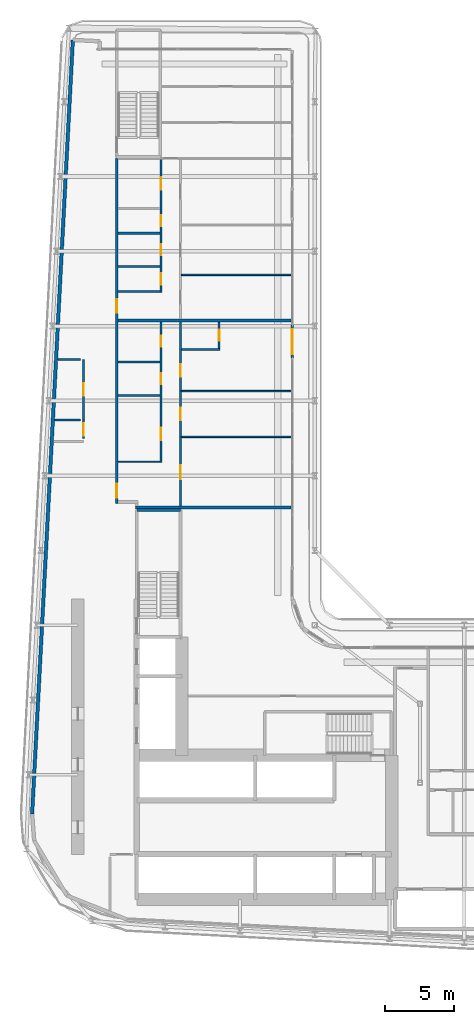
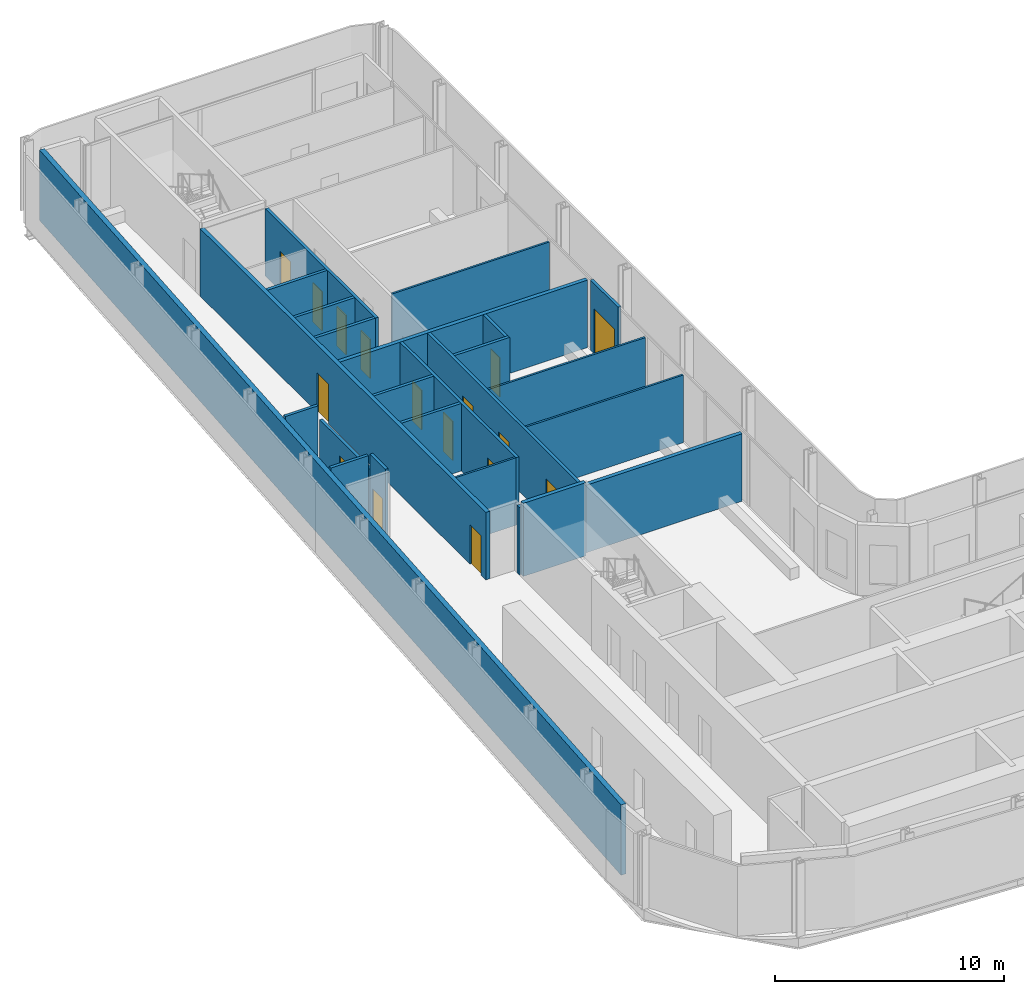
# One storey, part 17 of 27: 24 walls, 16 doors, 16 openings.
"""IFC4 building model written with IfcOpenShell, lengths in metres."""

from ifc_helpers import new_model, si_unit, direction, frame, frame_2d, origin, place, context, subcontext, project, spatial, rectangle, extrude, source, transform, mapped, material, layer, layer_set, type_object, element, fill, save


model = new_model("IFC4")

# Units and contexts
model_context = context("Model", 3, precision=1e-05, world=origin(), true_north=direction((0.0, 1.0)))
body_context = subcontext(model_context, "Body", "Model", "MODEL_VIEW")
ifc_project = project(units=[si_unit("LENGTHUNIT", "METRE"), si_unit("AREAUNIT", "SQUARE_METRE"), si_unit("VOLUMEUNIT", "CUBIC_METRE"), si_unit("PLANEANGLEUNIT", "RADIAN"), si_unit("MASSUNIT", "GRAM", prefix="KILO")], contexts=[model_context])

# Site, building, storey
site_placement = place(None, origin())
site = spatial("IfcSite", under=ifc_project, at=site_placement, CompositionType="ELEMENT")
building_placement = place(site_placement, origin())
building = spatial("IfcBuilding", under=site, at=building_placement, Name="Kheshtan School and Residences Tower", CompositionType="ELEMENT")
storey_placement = place(building_placement, frame((0.0, 0.0, 101.89990234375)))
storey = spatial("IfcBuildingStorey", under=building, at=storey_placement, Name="L23", CompositionType="ELEMENT", Elevation=101.89990234375)

# Wall, openings, doors
ifc_material_1 = material(Name="Gypsum board on steel studs with fire boards", Category="steel")
ifc_layer_1 = layer(ifc_material_1, 0.199951171875)
ifc_layer_set_1 = layer_set([ifc_layer_1], Name="Corridor wall 200")
wall_type_1 = type_object("IfcWallType", Name="Corridor wall 200", PredefinedType="PARTITIONING", material=ifc_layer_set_1)
wall_1_placement = place(storey_placement, frame((33.300048828125, 54.39990234375, 0.0), z_axis=(0.0, 0.0, 1.0), x_axis=(0.0, 1.0, 0.0)))
wall_1 = element("IfcWall", 1, at=wall_1_placement, inside=storey, type_object=wall_type_1, Name="Partition L23-001", PredefinedType="PARTITIONING", context=body_context, shape_type="SweptSolid", body=[
    extrude(rectangle(XDim=24.9501953125, YDim=0.199951171875, at=frame_2d((12.47509765625, 0.0))), origin(), (0.0, 0.0, 1.0), 3.60009765625),
])
opening_1_placement = place(wall_1_placement, frame((0.39990234375, 0.0, 0.0)))
opening_1 = element("IfcOpeningElement", 2, at=opening_1_placement, cuts=wall_1, Name="Opening D23-034", PredefinedType="OPENING", context=body_context, shape_type="SweptSolid", body=[
    extrude(rectangle(XDim=1.0, YDim=2.10009765625, at=frame_2d((0.5, 1.050048828125))), frame((0.0, 0.10986328125, 0.0), z_axis=(0.0, -1.0, 0.0), x_axis=(1.0, 0.0, 0.0)), (0.0, 0.0, 1.0), 0.219970703125),
])
opening_2_placement = place(wall_1_placement, frame((13.75, 0.0, 0.0)))
opening_2 = element("IfcOpeningElement", 3, at=opening_2_placement, cuts=wall_1, Name="Opening D23-041", PredefinedType="OPENING", context=body_context, shape_type="SweptSolid", body=[
    extrude(rectangle(XDim=1.0, YDim=2.10009765625, at=frame_2d((0.5, 1.050048828125))), frame((0.0, 0.10986328125, 0.0), z_axis=(0.0, -1.0, 0.0), x_axis=(1.0, 0.0, 0.0)), (0.0, 0.0, 1.0), 0.219970703125),
])
ifc_material_2 = material(Name="Steel-framed fire-resisting door leaf", Category="steel")
door_type_1 = type_object("IfcDoorType", Name="Fire door FD30S 1000 x 2100", OperationType="SINGLE_SWING_LEFT", PredefinedType="DOOR", material=ifc_material_2)
shared_shape_1 = source(origin(), body_context, "Body", "SweptSolid", [
    extrude(rectangle(XDim=1.0, YDim=2.10009765625, at=frame_2d((0.5, 1.050048828125))), frame((0.0, 0.02490234375, 0.0), z_axis=(0.0, -1.0, 0.0), x_axis=(1.0, 0.0, 0.0)), (0.0, 0.0, 1.0), 0.050048828125),
])
door_1_placement = place(opening_1_placement, origin())
door_1 = element("IfcDoor", 4, at=door_1_placement, inside=storey, type_object=door_type_1, Name="Door D23-034", OperationType="SINGLE_SWING_RIGHT", OverallHeight=2.10009765625, OverallWidth=1.0, PredefinedType="DOOR", context=body_context, shape_type="MappedRepresentation", body=[
    mapped(shared_shape_1, transform((0.0, 0.0, 0.0), x_axis=(1.0, 0.0, 0.0), y_axis=(0.0, 1.0, 0.0), z_axis=(0.0, 0.0, 1.0), scale=1.0)),
])
fill(opening_1, door_1)
door_2_placement = place(opening_2_placement, origin())
door_2 = element("IfcDoor", 5, at=door_2_placement, inside=storey, type_object=door_type_1, Name="Door D23-041", OperationType="SINGLE_SWING_LEFT", OverallHeight=2.10009765625, OverallWidth=1.0, PredefinedType="DOOR", context=body_context, shape_type="MappedRepresentation", body=[
    mapped(shared_shape_1, transform((0.0, 0.0, 0.0), x_axis=(1.0, 0.0, 0.0), y_axis=(0.0, 1.0, 0.0), z_axis=(0.0, 0.0, 1.0), scale=1.0)),
])
fill(opening_2, door_2)

# Wall
ifc_material_3 = material(Name="Concrete C40/50 with ceramic cladding and mineral wool insulation", Category="concrete")
ifc_layer_2 = layer(ifc_material_3, 0.25)
ifc_layer_set_2 = layer_set([ifc_layer_2], Name="External wall 250 ceramic clad")
wall_type_2 = type_object("IfcWallType", Name="External wall 250 ceramic clad", PredefinedType="SOLIDWALL", material=ifc_layer_set_2)
wall_2_placement = place(storey_placement, frame((27.195068359375, 31.968994140625, 0.0), z_axis=(0.0, 0.0, 1.0), x_axis=(0.052559748861, 0.998617781135, 0.0)))
element("IfcWall", 6, at=wall_2_placement, inside=storey, type_object=wall_type_2, Name="External wall L23 16", PredefinedType="SOLIDWALL", context=body_context, shape_type="SweptSolid", body=[
    extrude(rectangle(XDim=55.972412109375, YDim=0.25, at=frame_2d((27.986328125, 0.0))), origin(), (0.0, 0.0, 1.0), 3.75),
])

# Wall, opening, door
ifc_material_4 = material(Name="Aluminium frame wall with insulated infill", Category="aluminium")
ifc_layer_3 = layer(ifc_material_4, 0.14990234375)
ifc_layer_set_3 = layer_set([ifc_layer_3], Name="Glazing frame wall 150")
wall_type_3 = type_object("IfcWallType", Name="Glazing frame wall 150", PredefinedType="SOLIDWALL", material=ifc_layer_set_3)
wall_3_placement = place(storey_placement, frame((45.97509765625, 67.264892578125, 0.0), z_axis=(0.0, 0.0, 1.0), x_axis=(0.0, -1.0, 0.0)))
wall_3 = element("IfcWall", 7, at=wall_3_placement, inside=storey, type_object=wall_type_3, Name="Balcony door wall L23 4.3", PredefinedType="SOLIDWALL", context=body_context, shape_type="SweptSolid", body=[
    extrude(rectangle(XDim=2.39990234375, YDim=0.14990234375, at=frame_2d((1.199951171875, 0.0))), origin(), (0.0, 0.0, 1.0), 3.75),
])
opening_3_placement = place(wall_3_placement, frame((0.300048828125, 0.0, 0.0)))
opening_3 = element("IfcOpeningElement", 8, at=opening_3_placement, cuts=wall_3, Name="Opening BD", PredefinedType="OPENING", context=body_context, shape_type="SweptSolid", body=[
    extrude(rectangle(XDim=1.800048828125, YDim=2.39990234375, at=frame_2d((0.89990234375, 1.199951171875))), frame((0.0, 0.0849609375, 0.0), z_axis=(0.0, -1.0, 0.0), x_axis=(1.0, 0.0, 0.0)), (0.0, 0.0, 1.0), 0.169921875),
])
ifc_material_5 = material(Name="Clear low-e glass in thermally broken aluminium frame", Category="aluminium")
door_type_2 = type_object("IfcDoorType", Name="Balcony sliding door", OperationType="SLIDING_TO_LEFT", PredefinedType="DOOR", material=ifc_material_5)
shared_shape_2 = source(origin(), body_context, "Body", "SweptSolid", [
    extrude(rectangle(XDim=1.800048828125, YDim=2.39990234375, at=frame_2d((0.89990234375, 1.199951171875))), frame((0.0, 0.02490234375, 0.0), z_axis=(0.0, -1.0, 0.0), x_axis=(1.0, 0.0, 0.0)), (0.0, 0.0, 1.0), 0.050048828125),
])
door_3_placement = place(opening_3_placement, origin())
door_3 = element("IfcDoor", 9, at=door_3_placement, inside=storey, type_object=door_type_2, Name="Balcony door L23 4.3", OperationType="SLIDING_TO_LEFT", OverallHeight=2.39990234375, OverallWidth=1.800048828125, PredefinedType="DOOR", context=body_context, shape_type="MappedRepresentation", body=[
    mapped(shared_shape_2, transform((0.0, 0.0, 0.0), x_axis=(1.0, 0.0, 0.0), y_axis=(0.0, 1.0, 0.0), z_axis=(0.0, 0.0, 1.0), scale=1.0)),
])
fill(opening_3, door_3)

# Walls
ifc_material_6 = material(Name="Gypsum board on steel studs", Category="steel")
ifc_layer_4 = layer(ifc_material_6, 0.10009765625)
ifc_layer_set_4 = layer_set([ifc_layer_4], Name="Gypsum partition 100")
wall_type_4 = type_object("IfcWallType", Name="Gypsum partition 100", PredefinedType="PARTITIONING", material=ifc_layer_set_4)
wall_4_placement = place(storey_placement, frame((33.39990234375, 57.39990234375, 0.0), z_axis=(0.0, 0.0, 1.0), x_axis=(1.0, 0.0, 0.0)))
element("IfcWall", 10, at=wall_4_placement, inside=storey, type_object=wall_type_4, Name="Partition L23-003", PredefinedType="PARTITIONING", context=body_context, shape_type="SweptSolid", body=[
    extrude(rectangle(XDim=3.025146484375, YDim=0.10009765625, at=frame_2d((1.5126953125, 0.0))), origin(), (0.0, 0.0, 1.0), 3.60009765625),
])
for number, where, z_axis, x_axis, name in (
    (11, (37.97509765625, 59.199951171875, 0.0), (0.0, 0.0, 1.0), (1.0, 0.0, 0.0), "Partition L23-020"),
    (12, (37.97509765625, 62.5, 0.0), (0.0, 0.0, 1.0), (1.0, 0.0, 0.0), "Partition L23-021"),
    (13, (37.97509765625, 70.89990234375, 0.0), (0.0, 0.0, 1.0), (1.0, 0.0, 0.0), "Partition L23-023"),
):
    element("IfcWall", number, at=place(storey_placement, frame(where, z_axis=z_axis, x_axis=x_axis)), inside=storey, type_object=wall_type_4, Name=name, PredefinedType="PARTITIONING", context=body_context, shape_type="SweptSolid", body=[
        extrude(rectangle(XDim=7.9248046875, YDim=0.10009765625, at=frame_2d((3.96240234375, 0.0))), origin(), (0.0, 0.0, 1.0), 3.60009765625),
    ])

# Wall, opening, door
ifc_material_7 = material(Name="Fire-board shaft wall system")
ifc_layer_5 = layer(ifc_material_7, 0.14990234375)
ifc_layer_set_5 = layer_set([ifc_layer_5], Name="Service room wall 150")
wall_type_5 = type_object("IfcWallType", Name="Service room wall 150", PredefinedType="PARTITIONING", material=ifc_layer_set_5)
wall_5_placement = place(storey_placement, frame((30.89990234375, 59.06689453125, 0.0), z_axis=(0.0, 0.0, 1.0), x_axis=(0.0, 1.0, 0.0)))
wall_5 = element("IfcWall", 14, at=wall_5_placement, inside=storey, type_object=wall_type_5, Name="Service room wall", PredefinedType="PARTITIONING", context=body_context, shape_type="SweptSolid", body=[
    extrude(rectangle(XDim=1.34716796875, YDim=0.14990234375, at=frame_2d((0.673583984375, 0.0))), origin(), (0.0, 0.0, 1.0), 3.900146484375),
])
opening_4_placement = place(wall_5_placement, frame((0.22607421875, 0.0, 0.0)))
opening_4 = element("IfcOpeningElement", 15, at=opening_4_placement, cuts=wall_5, Name="Opening SR90", PredefinedType="OPENING", context=body_context, shape_type="SweptSolid", body=[
    extrude(rectangle(XDim=0.89990234375, YDim=2.199951171875, at=frame_2d((0.449951171875, 1.10009765625))), frame((0.0, 0.0849609375, 0.0), z_axis=(0.0, -1.0, 0.0), x_axis=(1.0, 0.0, 0.0)), (0.0, 0.0, 1.0), 0.169921875),
])
ifc_material_8 = material(Name="Steel door leaf, galvanised", Category="steel")
door_type_3 = type_object("IfcDoorType", Name="Service room door 900 steel 90 min", OperationType="SINGLE_SWING_LEFT", PredefinedType="DOOR", material=ifc_material_8)
shared_shape_3 = source(origin(), body_context, "Body", "SweptSolid", [
    extrude(rectangle(XDim=0.89990234375, YDim=2.199951171875, at=frame_2d((0.449951171875, 1.10009765625))), frame((0.0, 0.02490234375, 0.0), z_axis=(0.0, -1.0, 0.0), x_axis=(1.0, 0.0, 0.0)), (0.0, 0.0, 1.0), 0.050048828125),
])
door_4_placement = place(opening_4_placement, origin())
door_4 = element("IfcDoor", 16, at=door_4_placement, inside=storey, type_object=door_type_3, Name="Service room door", OperationType="SINGLE_SWING_LEFT", OverallHeight=2.199951171875, OverallWidth=0.89990234375, PredefinedType="DOOR", context=body_context, shape_type="MappedRepresentation", body=[
    mapped(shared_shape_3, transform((0.0, 0.0, 0.0), x_axis=(1.0, 0.0, 0.0), y_axis=(0.0, 1.0, 0.0), z_axis=(0.0, 0.0, 1.0), scale=1.0)),
])
fill(opening_4, door_4)

# Wall
wall_6_placement = place(storey_placement, frame((28.820068359375, 60.4140625, 0.0), z_axis=(0.0, 0.0, 1.0), x_axis=(1.0, 0.0, 0.0)))
element("IfcWall", 17, at=wall_6_placement, inside=storey, type_object=wall_type_5, Name="Service room wall", PredefinedType="PARTITIONING", context=body_context, shape_type="SweptSolid", body=[
    extrude(rectangle(XDim=1.885009765625, YDim=0.14990234375, at=frame_2d((0.9423828125, 0.0))), origin(), (0.0, 0.0, 1.0), 3.900146484375),
])

# Wall, opening, door
wall_7_placement = place(storey_placement, frame((30.89990234375, 60.4140625, 0.0), z_axis=(0.0, 0.0, 1.0), x_axis=(0.0, 1.0, 0.0)))
wall_7 = element("IfcWall", 18, at=wall_7_placement, inside=storey, type_object=wall_type_5, Name="Service room wall", PredefinedType="PARTITIONING", context=body_context, shape_type="SweptSolid", body=[
    extrude(rectangle(XDim=4.385986328125, YDim=0.14990234375, at=frame_2d((2.19287109375, 0.0))), origin(), (0.0, 0.0, 1.0), 3.072021484375),
])
opening_5_placement = place(wall_7_placement, frame((1.742919921875, 0.0, 0.0)))
opening_5 = element("IfcOpeningElement", 19, at=opening_5_placement, cuts=wall_7, Name="Opening SR90", PredefinedType="OPENING", context=body_context, shape_type="SweptSolid", body=[
    extrude(rectangle(XDim=0.89990234375, YDim=2.199951171875, at=frame_2d((0.449951171875, 1.10009765625))), frame((0.0, 0.0849609375, 0.0), z_axis=(0.0, -1.0, 0.0), x_axis=(1.0, 0.0, 0.0)), (0.0, 0.0, 1.0), 0.169921875),
])
door_5_placement = place(opening_5_placement, origin())
door_5 = element("IfcDoor", 20, at=door_5_placement, inside=storey, type_object=door_type_3, Name="Service room door", OperationType="SINGLE_SWING_LEFT", OverallHeight=2.199951171875, OverallWidth=0.89990234375, PredefinedType="DOOR", context=body_context, shape_type="MappedRepresentation", body=[
    mapped(shared_shape_3, transform((0.0, 0.0, 0.0), x_axis=(1.0, 0.0, 0.0), y_axis=(0.0, 1.0, 0.0), z_axis=(0.0, 0.0, 1.0), scale=1.0)),
])
fill(opening_5, door_5)

# Walls
wall_8_placement = place(storey_placement, frame((29.051025390625, 64.800048828125, 0.0), z_axis=(0.0, 0.0, 1.0), x_axis=(1.0, 0.0, 0.0)))
element("IfcWall", 21, at=wall_8_placement, inside=storey, type_object=wall_type_5, Name="Service room wall", PredefinedType="PARTITIONING", context=body_context, shape_type="SweptSolid", body=[
    extrude(rectangle(XDim=1.654052734375, YDim=0.14990234375, at=frame_2d((0.8271484375, 0.0))), origin(), (0.0, 0.0, 1.0), 3.900146484375),
])
ifc_material_9 = material(Name="Concrete C40/50", Category="concrete")
ifc_layer_6 = layer(ifc_material_9, 0.199951171875)
ifc_layer_set_6 = layer_set([ifc_layer_6], Name="Stair enclosure wall 200 Concrete C40/50")
wall_type_6 = type_object("IfcWallType", Name="Stair enclosure wall 200 Concrete C40/50", PredefinedType="SHEAR", material=ifc_layer_set_6)
wall_9_placement = place(storey_placement, frame((34.75, 53.909912109375, 0.0), z_axis=(0.0, 0.0, 1.0), x_axis=(1.0, 0.0, 0.0)))
element("IfcWall", 22, at=wall_9_placement, inside=storey, type_object=wall_type_6, Name="Stair enclosure wall ST2", PredefinedType="SHEAR", context=body_context, shape_type="SweptSolid", body=[
    extrude(rectangle(XDim=3.14990234375, YDim=0.199951171875, at=frame_2d((1.574951171875, 0.0))), origin(), (0.0, 0.0, 1.0), 3.900146484375),
])
ifc_material_10 = material(Name="Twin gypsum board on steel studs with mineral wool", Category="steel")
ifc_layer_7 = layer(ifc_material_10, 0.199951171875)
ifc_layer_set_7 = layer_set([ifc_layer_7], Name="Unit demising wall 200")
wall_type_7 = type_object("IfcWallType", Name="Unit demising wall 200", PredefinedType="PARTITIONING", material=ifc_layer_set_7)
wall_10_placement = place(storey_placement, frame((33.39990234375, 67.60009765625, 0.0), z_axis=(0.0, 0.0, 1.0), x_axis=(1.0, 0.0, 0.0)))
element("IfcWall", 23, at=wall_10_placement, inside=storey, type_object=wall_type_7, Name="Partition L23-006", PredefinedType="PARTITIONING", context=body_context, shape_type="SweptSolid", body=[
    extrude(rectangle(XDim=12.5, YDim=0.199951171875, at=frame_2d((6.25, 0.0))), origin(), (0.0, 0.0, 1.0), 3.60009765625),
])
wall_11_placement = place(storey_placement, frame((34.64990234375, 54.10009765625, 0.0), z_axis=(0.0, 0.0, 1.0), x_axis=(1.0, 0.0, 0.0)))
element("IfcWall", 24, at=wall_11_placement, inside=storey, type_object=wall_type_7, Name="Partition L23-012", PredefinedType="PARTITIONING", context=body_context, shape_type="SweptSolid", body=[
    extrude(rectangle(XDim=11.25, YDim=0.199951171875, at=frame_2d((5.625, 0.0))), origin(), (0.0, 0.0, 1.0), 3.60009765625),
])
ifc_material_11 = material(Name="Moisture-resistant gypsum board on steel studs", Category="steel")
ifc_layer_8 = layer(ifc_material_11, 0.14990234375)
ifc_layer_set_8 = layer_set([ifc_layer_8], Name="Wet-room partition 150")
wall_type_8 = type_object("IfcWallType", Name="Wet-room partition 150", PredefinedType="PARTITIONING", material=ifc_layer_set_8)
for number, where, z_axis, x_axis, name in (
    (25, (33.39990234375, 62.199951171875, 0.0), (0.0, 0.0, 1.0), (1.0, 0.0, 0.0), "Partition L23-004"),
    (26, (33.39990234375, 64.60009765625, 0.0), (0.0, 0.0, 1.0), (1.0, 0.0, 0.0), "Partition L23-005"),
    (27, (33.39990234375, 69.699951171875, 0.0), (0.0, 0.0, 1.0), (1.0, 0.0, 0.0), "Partition L23-007"),
    (28, (33.39990234375, 71.5, 0.0), (0.0, 0.0, 1.0), (1.0, 0.0, 0.0), "Partition L23-008"),
    (29, (33.39990234375, 73.89990234375, 0.0), (0.0, 0.0, 1.0), (1.0, 0.0, 0.0), "Partition L23-009"),
):
    element("IfcWall", number, at=place(storey_placement, frame(where, z_axis=z_axis, x_axis=x_axis)), inside=storey, type_object=wall_type_8, Name=name, PredefinedType="PARTITIONING", context=body_context, shape_type="SweptSolid", body=[
        extrude(rectangle(XDim=3.025146484375, YDim=0.14990234375, at=frame_2d((1.5126953125, 0.0))), origin(), (0.0, 0.0, 1.0), 3.60009765625),
    ])

# Wall, openings, doors
wall_12_placement = place(storey_placement, frame((36.5, 57.35009765625, 0.0), z_axis=(0.0, 0.0, 1.0), x_axis=(0.0, 1.0, 0.0)))
wall_12 = element("IfcWall", 30, at=wall_12_placement, inside=storey, type_object=wall_type_8, Name="Partition L23-014", PredefinedType="PARTITIONING", context=body_context, shape_type="SweptSolid", body=[
    extrude(rectangle(XDim=10.14990234375, YDim=0.14990234375, at=frame_2d((5.074951171875, 0.0))), origin(), (0.0, 0.0, 1.0), 3.60009765625),
])
opening_6_placement = place(wall_12_placement, frame((8.35009765625, 0.0, 0.0)))
opening_6 = element("IfcOpeningElement", 31, at=opening_6_placement, cuts=wall_12, Name="Opening D23-031", PredefinedType="OPENING", context=body_context, shape_type="SweptSolid", body=[
    extrude(rectangle(XDim=0.800048828125, YDim=2.10009765625, at=frame_2d((0.39990234375, 1.050048828125))), frame((0.0, 0.0849609375, 0.0), z_axis=(0.0, -1.0, 0.0), x_axis=(1.0, 0.0, 0.0)), (0.0, 0.0, 1.0), 0.169921875),
])
opening_7_placement = place(wall_12_placement, frame((1.60009765625, 0.0, 0.0)))
opening_7 = element("IfcOpeningElement", 32, at=opening_7_placement, cuts=wall_12, Name="Opening D23-035", PredefinedType="OPENING", context=body_context, shape_type="SweptSolid", body=[
    extrude(rectangle(XDim=0.89990234375, YDim=2.10009765625, at=frame_2d((0.449951171875, 1.050048828125))), frame((0.0, 0.0849609375, 0.0), z_axis=(0.0, -1.0, 0.0), x_axis=(1.0, 0.0, 0.0)), (0.0, 0.0, 1.0), 0.169921875),
])
opening_8_placement = place(wall_12_placement, frame((5.64990234375, 0.0, 0.0)))
opening_8 = element("IfcOpeningElement", 33, at=opening_8_placement, cuts=wall_12, Name="Opening D23-038", PredefinedType="OPENING", context=body_context, shape_type="SweptSolid", body=[
    extrude(rectangle(XDim=0.800048828125, YDim=2.10009765625, at=frame_2d((0.39990234375, 1.050048828125))), frame((0.0, 0.0849609375, 0.0), z_axis=(0.0, -1.0, 0.0), x_axis=(1.0, 0.0, 0.0)), (0.0, 0.0, 1.0), 0.169921875),
])
ifc_material_12 = material(Name="Veneered timber door leaf", Category="wood")
door_type_4 = type_object("IfcDoorType", Name="Door 800 x 2100", OperationType="SINGLE_SWING_LEFT", PredefinedType="DOOR", material=ifc_material_12)
shared_shape_4 = source(origin(), body_context, "Body", "SweptSolid", [
    extrude(rectangle(XDim=0.800048828125, YDim=2.10009765625, at=frame_2d((0.39990234375, 1.050048828125))), frame((0.0, 0.02490234375, 0.0), z_axis=(0.0, -1.0, 0.0), x_axis=(1.0, 0.0, 0.0)), (0.0, 0.0, 1.0), 0.050048828125),
])
door_6_placement = place(opening_6_placement, origin())
door_6 = element("IfcDoor", 34, at=door_6_placement, inside=storey, type_object=door_type_4, Name="Door D23-031", OperationType="SINGLE_SWING_RIGHT", OverallHeight=2.10009765625, OverallWidth=0.800048828125, PredefinedType="DOOR", context=body_context, shape_type="MappedRepresentation", body=[
    mapped(shared_shape_4, transform((0.0, 0.0, 0.0), x_axis=(1.0, 0.0, 0.0), y_axis=(0.0, 1.0, 0.0), z_axis=(0.0, 0.0, 1.0), scale=1.0)),
])
fill(opening_6, door_6)
door_7_placement = place(opening_8_placement, origin())
door_7 = element("IfcDoor", 35, at=door_7_placement, inside=storey, type_object=door_type_4, Name="Door D23-038", OperationType="SINGLE_SWING_RIGHT", OverallHeight=2.10009765625, OverallWidth=0.800048828125, PredefinedType="DOOR", context=body_context, shape_type="MappedRepresentation", body=[
    mapped(shared_shape_4, transform((0.0, 0.0, 0.0), x_axis=(1.0, 0.0, 0.0), y_axis=(0.0, 1.0, 0.0), z_axis=(0.0, 0.0, 1.0), scale=1.0)),
])
fill(opening_8, door_7)
door_type_5 = type_object("IfcDoorType", Name="Door 900 x 2100", OperationType="SINGLE_SWING_LEFT", PredefinedType="DOOR", material=ifc_material_12)
shared_shape_5 = source(origin(), body_context, "Body", "SweptSolid", [
    extrude(rectangle(XDim=0.89990234375, YDim=2.10009765625, at=frame_2d((0.449951171875, 1.050048828125))), frame((0.0, 0.02490234375, 0.0), z_axis=(0.0, -1.0, 0.0), x_axis=(1.0, 0.0, 0.0)), (0.0, 0.0, 1.0), 0.050048828125),
])
door_8_placement = place(opening_7_placement, origin())
door_8 = element("IfcDoor", 36, at=door_8_placement, inside=storey, type_object=door_type_5, Name="Door D23-035", OperationType="SINGLE_SWING_RIGHT", OverallHeight=2.10009765625, OverallWidth=0.89990234375, PredefinedType="DOOR", context=body_context, shape_type="MappedRepresentation", body=[
    mapped(shared_shape_5, transform((0.0, 0.0, 0.0), x_axis=(1.0, 0.0, 0.0), y_axis=(0.0, 1.0, 0.0), z_axis=(0.0, 0.0, 1.0), scale=1.0)),
])
fill(opening_7, door_8)

wall_13_placement = place(storey_placement, frame((36.5, 69.625, 0.0), z_axis=(0.0, 0.0, 1.0), x_axis=(0.0, 1.0, 0.0)))
wall_13 = element("IfcWall", 37, at=wall_13_placement, inside=storey, type_object=wall_type_8, Name="Partition L23-015", PredefinedType="PARTITIONING", context=body_context, shape_type="SweptSolid", body=[
    extrude(rectangle(XDim=9.625, YDim=0.14990234375, at=frame_2d((4.8125, 0.0))), origin(), (0.0, 0.0, 1.0), 3.60009765625),
])
opening_9_placement = place(wall_13_placement, frame((2.675048828125, 0.0, 0.0)))
opening_9 = element("IfcOpeningElement", 38, at=opening_9_placement, cuts=wall_13, Name="Opening D23-039", PredefinedType="OPENING", context=body_context, shape_type="SweptSolid", body=[
    extrude(rectangle(XDim=0.800048828125, YDim=2.10009765625, at=frame_2d((0.39990234375, 1.050048828125))), frame((0.0, 0.0849609375, 0.0), z_axis=(0.0, -1.0, 0.0), x_axis=(1.0, 0.0, 0.0)), (0.0, 0.0, 1.0), 0.169921875),
])
opening_10_placement = place(wall_13_placement, frame((7.425048828125, 0.0, 0.0)))
opening_10 = element("IfcOpeningElement", 39, at=opening_10_placement, cuts=wall_13, Name="Opening D23-042", PredefinedType="OPENING", context=body_context, shape_type="SweptSolid", body=[
    extrude(rectangle(XDim=0.89990234375, YDim=2.10009765625, at=frame_2d((0.449951171875, 1.050048828125))), frame((0.0, 0.0849609375, 0.0), z_axis=(0.0, -1.0, 0.0), x_axis=(1.0, 0.0, 0.0)), (0.0, 0.0, 1.0), 0.169921875),
])
opening_11_placement = place(wall_13_placement, frame((4.77490234375, 0.0, 0.0)))
opening_11 = element("IfcOpeningElement", 40, at=opening_11_placement, cuts=wall_13, Name="Opening D23-045", PredefinedType="OPENING", context=body_context, shape_type="SweptSolid", body=[
    extrude(rectangle(XDim=0.800048828125, YDim=2.10009765625, at=frame_2d((0.39990234375, 1.050048828125))), frame((0.0, 0.0849609375, 0.0), z_axis=(0.0, -1.0, 0.0), x_axis=(1.0, 0.0, 0.0)), (0.0, 0.0, 1.0), 0.169921875),
])
opening_12_placement = place(wall_13_placement, frame((0.574951171875, 0.0, 0.0)))
opening_12 = element("IfcOpeningElement", 41, at=opening_12_placement, cuts=wall_13, Name="Opening D23-046", PredefinedType="OPENING", context=body_context, shape_type="SweptSolid", body=[
    extrude(rectangle(XDim=0.800048828125, YDim=2.10009765625, at=frame_2d((0.39990234375, 1.050048828125))), frame((0.0, 0.0849609375, 0.0), z_axis=(0.0, -1.0, 0.0), x_axis=(1.0, 0.0, 0.0)), (0.0, 0.0, 1.0), 0.169921875),
])
door_9_placement = place(opening_9_placement, origin())
door_9 = element("IfcDoor", 42, at=door_9_placement, inside=storey, type_object=door_type_4, Name="Door D23-039", OperationType="SINGLE_SWING_LEFT", OverallHeight=2.10009765625, OverallWidth=0.800048828125, PredefinedType="DOOR", context=body_context, shape_type="MappedRepresentation", body=[
    mapped(shared_shape_4, transform((0.0, 0.0, 0.0), x_axis=(1.0, 0.0, 0.0), y_axis=(0.0, 1.0, 0.0), z_axis=(0.0, 0.0, 1.0), scale=1.0)),
])
fill(opening_9, door_9)
door_10_placement = place(opening_11_placement, origin())
door_10 = element("IfcDoor", 43, at=door_10_placement, inside=storey, type_object=door_type_4, Name="Door D23-045", OperationType="SINGLE_SWING_RIGHT", OverallHeight=2.10009765625, OverallWidth=0.800048828125, PredefinedType="DOOR", context=body_context, shape_type="MappedRepresentation", body=[
    mapped(shared_shape_4, transform((0.0, 0.0, 0.0), x_axis=(1.0, 0.0, 0.0), y_axis=(0.0, 1.0, 0.0), z_axis=(0.0, 0.0, 1.0), scale=1.0)),
])
fill(opening_11, door_10)
door_11_placement = place(opening_12_placement, origin())
door_11 = element("IfcDoor", 44, at=door_11_placement, inside=storey, type_object=door_type_4, Name="Door D23-046", OperationType="SINGLE_SWING_RIGHT", OverallHeight=2.10009765625, OverallWidth=0.800048828125, PredefinedType="DOOR", context=body_context, shape_type="MappedRepresentation", body=[
    mapped(shared_shape_4, transform((0.0, 0.0, 0.0), x_axis=(1.0, 0.0, 0.0), y_axis=(0.0, 1.0, 0.0), z_axis=(0.0, 0.0, 1.0), scale=1.0)),
])
fill(opening_12, door_11)
door_12_placement = place(opening_10_placement, origin())
door_12 = element("IfcDoor", 45, at=door_12_placement, inside=storey, type_object=door_type_5, Name="Door D23-042", OperationType="SINGLE_SWING_RIGHT", OverallHeight=2.10009765625, OverallWidth=0.89990234375, PredefinedType="DOOR", context=body_context, shape_type="MappedRepresentation", body=[
    mapped(shared_shape_5, transform((0.0, 0.0, 0.0), x_axis=(1.0, 0.0, 0.0), y_axis=(0.0, 1.0, 0.0), z_axis=(0.0, 0.0, 1.0), scale=1.0)),
])
fill(opening_10, door_12)

wall_14_placement = place(storey_placement, frame((37.89990234375, 54.199951171875, 0.0), z_axis=(0.0, 0.0, 1.0), x_axis=(0.0, 1.0, 0.0)))
wall_14 = element("IfcWall", 46, at=wall_14_placement, inside=storey, type_object=wall_type_8, Name="Partition L23-018", PredefinedType="PARTITIONING", context=body_context, shape_type="SweptSolid", body=[
    extrude(rectangle(XDim=13.300048828125, YDim=0.14990234375, at=frame_2d((6.64990234375, 0.0))), origin(), (0.0, 0.0, 1.0), 3.60009765625),
])
opening_13_placement = place(wall_14_placement, frame((6.199951171875, 0.0, 0.0)))
opening_13 = element("IfcOpeningElement", 47, at=opening_13_placement, cuts=wall_14, Name="Opening D23-032", PredefinedType="OPENING", context=body_context, shape_type="SweptSolid", body=[
    extrude(rectangle(XDim=0.89990234375, YDim=2.10009765625, at=frame_2d((0.449951171875, 1.050048828125))), frame((0.0, 0.0849609375, 0.0), z_axis=(0.0, -1.0, 0.0), x_axis=(1.0, 0.0, 0.0)), (0.0, 0.0, 1.0), 0.169921875),
])
opening_14_placement = place(wall_14_placement, frame((1.949951171875, 0.0, 0.0)))
opening_14 = element("IfcOpeningElement", 48, at=opening_14_placement, cuts=wall_14, Name="Opening D23-036", PredefinedType="OPENING", context=body_context, shape_type="SweptSolid", body=[
    extrude(rectangle(XDim=1.0, YDim=2.10009765625, at=frame_2d((0.5, 1.050048828125))), frame((0.0, 0.0849609375, 0.0), z_axis=(0.0, -1.0, 0.0), x_axis=(1.0, 0.0, 0.0)), (0.0, 0.0, 1.0), 0.169921875),
])
opening_15_placement = place(wall_14_placement, frame((9.35009765625, 0.0, 0.0)))
opening_15 = element("IfcOpeningElement", 49, at=opening_15_placement, cuts=wall_14, Name="Opening D23-037", PredefinedType="OPENING", context=body_context, shape_type="SweptSolid", body=[
    extrude(rectangle(XDim=0.89990234375, YDim=2.10009765625, at=frame_2d((0.449951171875, 1.050048828125))), frame((0.0, 0.0849609375, 0.0), z_axis=(0.0, -1.0, 0.0), x_axis=(1.0, 0.0, 0.0)), (0.0, 0.0, 1.0), 0.169921875),
])
door_type_6 = type_object("IfcDoorType", Name="Door 1000 x 2100", OperationType="SINGLE_SWING_LEFT", PredefinedType="DOOR", material=ifc_material_12)
shared_shape_6 = source(origin(), body_context, "Body", "SweptSolid", [
    extrude(rectangle(XDim=1.0, YDim=2.10009765625, at=frame_2d((0.5, 1.050048828125))), frame((0.0, 0.02490234375, 0.0), z_axis=(0.0, -1.0, 0.0), x_axis=(1.0, 0.0, 0.0)), (0.0, 0.0, 1.0), 0.050048828125),
])
door_13_placement = place(opening_14_placement, origin())
door_13 = element("IfcDoor", 50, at=door_13_placement, inside=storey, type_object=door_type_6, Name="Door D23-036", OperationType="SINGLE_SWING_RIGHT", OverallHeight=2.10009765625, OverallWidth=1.0, PredefinedType="DOOR", context=body_context, shape_type="MappedRepresentation", body=[
    mapped(shared_shape_6, transform((0.0, 0.0, 0.0), x_axis=(1.0, 0.0, 0.0), y_axis=(0.0, 1.0, 0.0), z_axis=(0.0, 0.0, 1.0), scale=1.0)),
])
fill(opening_14, door_13)
door_14_placement = place(opening_13_placement, origin())
door_14 = element("IfcDoor", 51, at=door_14_placement, inside=storey, type_object=door_type_5, Name="Door D23-032", OperationType="SINGLE_SWING_LEFT", OverallHeight=2.10009765625, OverallWidth=0.89990234375, PredefinedType="DOOR", context=body_context, shape_type="MappedRepresentation", body=[
    mapped(shared_shape_5, transform((0.0, 0.0, 0.0), x_axis=(1.0, 0.0, 0.0), y_axis=(0.0, 1.0, 0.0), z_axis=(0.0, 0.0, 1.0), scale=1.0)),
])
fill(opening_13, door_14)
door_15_placement = place(opening_15_placement, origin())
door_15 = element("IfcDoor", 52, at=door_15_placement, inside=storey, type_object=door_type_5, Name="Door D23-037", OperationType="SINGLE_SWING_RIGHT", OverallHeight=2.10009765625, OverallWidth=0.89990234375, PredefinedType="DOOR", context=body_context, shape_type="MappedRepresentation", body=[
    mapped(shared_shape_5, transform((0.0, 0.0, 0.0), x_axis=(1.0, 0.0, 0.0), y_axis=(0.0, 1.0, 0.0), z_axis=(0.0, 0.0, 1.0), scale=1.0)),
])
fill(opening_15, door_15)

# Wall
wall_15_placement = place(storey_placement, frame((37.97509765625, 65.5, 0.0), z_axis=(0.0, 0.0, 1.0), x_axis=(1.0, 0.0, 0.0)))
element("IfcWall", 53, at=wall_15_placement, inside=storey, type_object=wall_type_8, Name="Partition L23-022", PredefinedType="PARTITIONING", context=body_context, shape_type="SweptSolid", body=[
    extrude(rectangle(XDim=2.7998046875, YDim=0.14990234375, at=frame_2d((1.39990234375, 0.0))), origin(), (0.0, 0.0, 1.0), 3.60009765625),
])

# Wall, opening, door
wall_16_placement = place(storey_placement, frame((40.699951171875, 65.574951171875, 0.0), z_axis=(0.0, 0.0, 1.0), x_axis=(0.0, 1.0, 0.0)))
wall_16 = element("IfcWall", 54, at=wall_16_placement, inside=storey, type_object=wall_type_8, Name="Partition L23-026", PredefinedType="PARTITIONING", context=body_context, shape_type="SweptSolid", body=[
    extrude(rectangle(XDim=1.925048828125, YDim=0.14990234375, at=frame_2d((0.96240234375, 0.0))), origin(), (0.0, 0.0, 1.0), 3.60009765625),
])
opening_16_placement = place(wall_16_placement, frame((0.574951171875, 0.0, 0.0)))
opening_16 = element("IfcOpeningElement", 55, at=opening_16_placement, cuts=wall_16, Name="Opening D23-033", PredefinedType="OPENING", context=body_context, shape_type="SweptSolid", body=[
    extrude(rectangle(XDim=0.800048828125, YDim=2.10009765625, at=frame_2d((0.39990234375, 1.050048828125))), frame((0.0, 0.0849609375, 0.0), z_axis=(0.0, -1.0, 0.0), x_axis=(1.0, 0.0, 0.0)), (0.0, 0.0, 1.0), 0.169921875),
])
door_16_placement = place(opening_16_placement, origin())
door_16 = element("IfcDoor", 56, at=door_16_placement, inside=storey, type_object=door_type_4, Name="Door D23-033", OperationType="SINGLE_SWING_RIGHT", OverallHeight=2.10009765625, OverallWidth=0.800048828125, PredefinedType="DOOR", context=body_context, shape_type="MappedRepresentation", body=[
    mapped(shared_shape_4, transform((0.0, 0.0, 0.0), x_axis=(1.0, 0.0, 0.0), y_axis=(0.0, 1.0, 0.0), z_axis=(0.0, 0.0, 1.0), scale=1.0)),
])
fill(opening_16, door_16)

save(model, "model.ifc")
